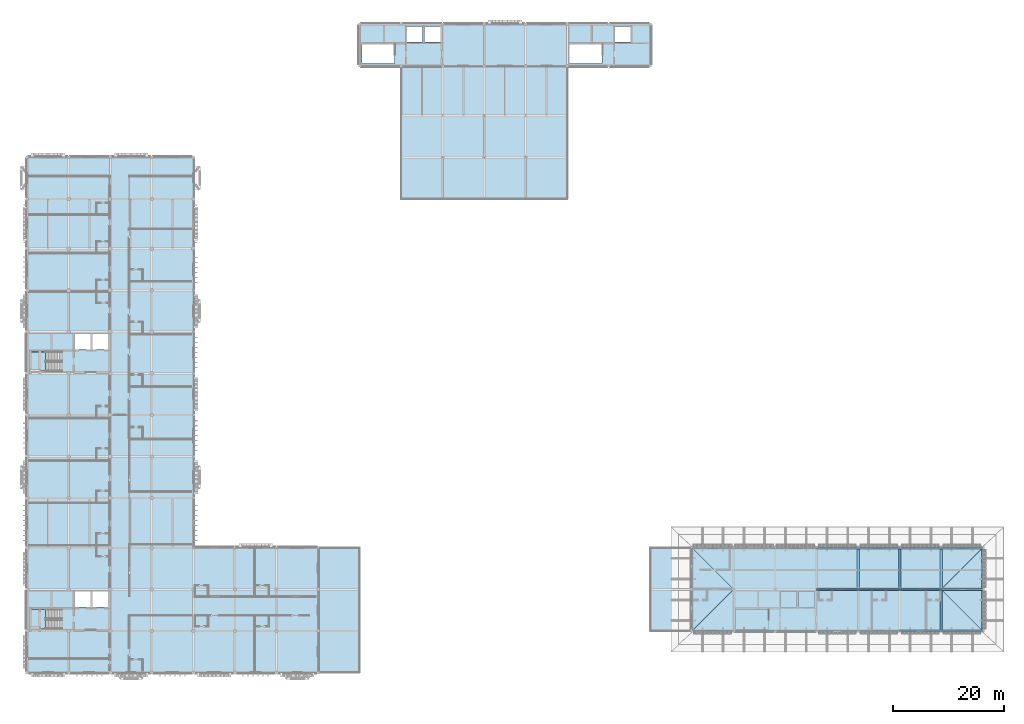
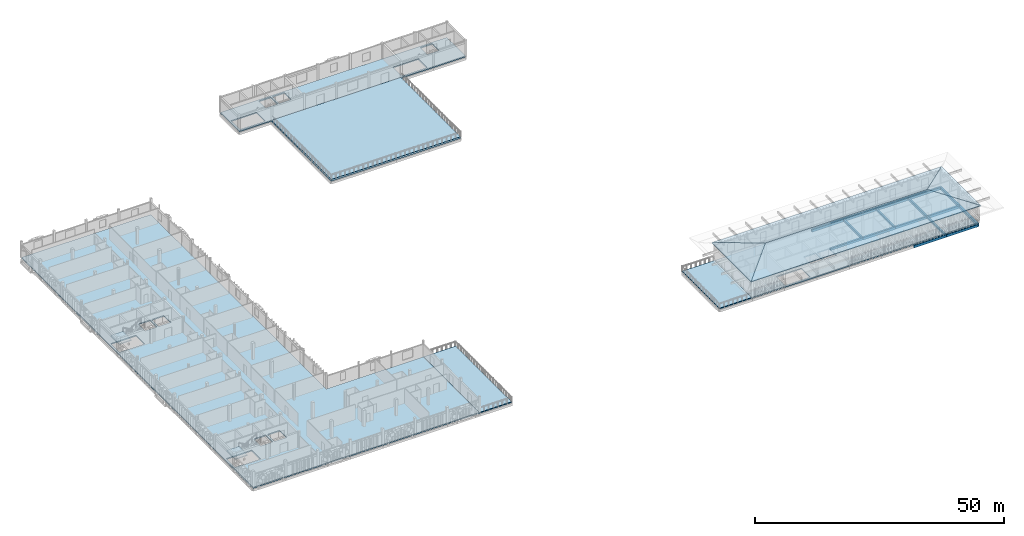
# One storey, part 9 of 33: 16 beams, 12 slabs, 3 members, 3 elements without a shape of their own.
"""IFC4 building model written with IfcOpenShell, lengths in metres."""

from ifc_helpers import new_model, si_unit, direction, frame, origin, origin_2d, place, context, subcontext, project, spatial, polyline, rectangle, i_section, outline, extrude, material, layer, layer_set, material_profile, profile_set, type_object, element, aggregate, save


model = new_model("IFC4")

# Units and contexts
model_context = context("Model", 3, precision=1e-05, world=origin(), true_north=direction((0.0, 1.0)))
body_context = subcontext(model_context, "Body", "Model", "MODEL_VIEW")
ifc_project = project(units=[si_unit("LENGTHUNIT", "METRE"), si_unit("AREAUNIT", "SQUARE_METRE"), si_unit("VOLUMEUNIT", "CUBIC_METRE"), si_unit("PLANEANGLEUNIT", "RADIAN"), si_unit("MASSUNIT", "GRAM", prefix="KILO")], contexts=[model_context])

# Site, building, storey
site_placement = place(None, origin())
site = spatial("IfcSite", under=ifc_project, at=site_placement, CompositionType="ELEMENT")
building_placement = place(site_placement, origin())
building = spatial("IfcBuilding", under=site, at=building_placement, Name="Dalvernix Boulevard General Hospital", CompositionType="ELEMENT")
storey_placement = place(building_placement, frame((0.0, 0.0, 21.89990234375)))
storey = spatial("IfcBuildingStorey", under=building, at=storey_placement, Name="L05", CompositionType="ELEMENT", Elevation=21.89990234375)

# Beams
ifc_material_1 = material(Name="Concrete C35/45", Category="concrete")
ifc_material_profile_1 = material_profile(ifc_material_1, rectangle(XDim=0.39990234375, YDim=0.60009765625, at=origin_2d()), Name="RCB 400x600")
ifc_profile_set_1 = profile_set([ifc_material_profile_1], Name="Concrete C35/45")
beam_type_1 = type_object("IfcBeamType", Name="BM-B-05-I", PredefinedType="BEAM", material=ifc_profile_set_1)
for number, where, z_axis, x_axis, name in (
    (1, (150.0, 15.0, -0.579833984375), (1.0, 0.0, 0.0), (0.0, 1.0, 0.0), "L05 E-W girder C:21-22"),
    (2, (165.0, 15.0, -0.579833984375), (1.0, 0.0, 0.0), (0.0, 1.0, 0.0), "L05 E-W girder C:23-24"),
):
    element("IfcBeam", number, at=place(storey_placement, frame(where, z_axis=z_axis, x_axis=x_axis)), inside=storey, type_object=beam_type_1, Name=name, PredefinedType="BEAM", context=body_context, shape_type="SweptSolid", body=[
        extrude(rectangle(XDim=0.39990234375, YDim=0.60009765625, at=origin_2d()), origin(), (0.0, 0.0, 1.0), 7.5),
    ])
ifc_material_profile_2 = material_profile(ifc_material_1, rectangle(XDim=0.39990234375, YDim=0.550048828125, at=origin_2d()), Name="RCB 400x550")
ifc_profile_set_2 = profile_set([ifc_material_profile_2], Name="Concrete C35/45")
beam_type_2 = type_object("IfcBeamType", Name="BM-B-06-I", PredefinedType="BEAM", material=ifc_profile_set_2)
for number, where, z_axis, x_axis, name in (
    (3, (142.5, 15.0, -0.554931640625), (1.0, 0.0, 0.0), (0.0, 1.0, 0.0), "L05 E-W girder C:20-21"),
    (4, (157.5, 15.0, -0.554931640625), (1.0, 0.0, 0.0), (0.0, 1.0, 0.0), "L05 E-W girder C:22-23"),
    (5, (150.0, 15.0, -0.554931640625), (0.0, 1.0, 0.0), (-1.0, 0.0, 0.0), "L05 N-S girder 21:C-D"),
    (6, (165.0, 15.0, -0.554931640625), (0.0, 1.0, 0.0), (-1.0, 0.0, 0.0), "L05 N-S girder 23:C-D"),
):
    element("IfcBeam", number, at=place(storey_placement, frame(where, z_axis=z_axis, x_axis=x_axis)), inside=storey, type_object=beam_type_2, Name=name, PredefinedType="BEAM", context=body_context, shape_type="SweptSolid", body=[
        extrude(rectangle(XDim=0.39990234375, YDim=0.550048828125, at=origin_2d()), origin(), (0.0, 0.0, 1.0), 7.5),
    ])
ifc_material_profile_3 = material_profile(ifc_material_1, rectangle(XDim=0.35009765625, YDim=0.5, at=origin_2d()), Name="RCB 350x500")
ifc_profile_set_3 = profile_set([ifc_material_profile_3], Name="Concrete C35/45")
beam_type_3 = type_object("IfcBeamType", Name="BM-B-08-I", PredefinedType="BEAM", material=ifc_profile_set_3)
for number, where, z_axis, x_axis, name in (
    (7, (157.5, 15.0, -0.52978515625), (0.0, 1.0, 0.0), (-1.0, 0.0, 0.0), "L05 N-S girder 22:C-D"),
    (8, (165.0, 7.5, -0.52978515625), (0.0, 1.0, 0.0), (-1.0, 0.0, 0.0), "L05 N-S girder 23:B-C"),
):
    element("IfcBeam", number, at=place(storey_placement, frame(where, z_axis=z_axis, x_axis=x_axis)), inside=storey, type_object=beam_type_3, Name=name, PredefinedType="BEAM", context=body_context, shape_type="SweptSolid", body=[
        extrude(rectangle(XDim=0.35009765625, YDim=0.5, at=origin_2d()), origin(), (0.0, 0.0, 1.0), 7.5),
    ])
ifc_material_profile_4 = material_profile(ifc_material_1, rectangle(XDim=0.39990234375, YDim=0.60009765625, at=origin_2d()), Name="RCB 400x600")
ifc_profile_set_4 = profile_set([ifc_material_profile_4], Name="Concrete C35/45")
beam_type_4 = type_object("IfcBeamType", Name="BM-SB-02-E", PredefinedType="SPANDREL", material=ifc_profile_set_4)
for number, where, z_axis, x_axis, name in (
    (9, (157.5, 7.5, -0.579833984375), (1.0, 0.0, 0.0), (0.0, 1.0, 0.0), "L05 E-W girder B:22-23"),
    (10, (165.0, 7.5, -0.579833984375), (1.0, 0.0, 0.0), (0.0, 1.0, 0.0), "L05 E-W girder B:23-24"),
    (11, (142.5, 22.5, -0.579833984375), (1.0, 0.0, 0.0), (0.0, 1.0, 0.0), "L05 E-W girder D:20-21"),
    (12, (150.0, 22.5, -0.579833984375), (1.0, 0.0, 0.0), (0.0, 1.0, 0.0), "L05 E-W girder D:21-22"),
    (13, (157.5, 22.5, -0.579833984375), (1.0, 0.0, 0.0), (0.0, 1.0, 0.0), "L05 E-W girder D:22-23"),
    (14, (165.0, 22.5, -0.579833984375), (1.0, 0.0, 0.0), (0.0, 1.0, 0.0), "L05 E-W girder D:23-24"),
    (15, (172.5, 7.5, -0.579833984375), (0.0, 1.0, 0.0), (-1.0, 0.0, 0.0), "L05 N-S girder 24:B-C"),
    (16, (172.5, 15.0, -0.579833984375), (0.0, 1.0, 0.0), (-1.0, 0.0, 0.0), "L05 N-S girder 24:C-D"),
):
    element("IfcBeam", number, at=place(storey_placement, frame(where, z_axis=z_axis, x_axis=x_axis)), inside=storey, type_object=beam_type_4, Name=name, PredefinedType="SPANDREL", context=body_context, shape_type="SweptSolid", body=[
        extrude(rectangle(XDim=0.39990234375, YDim=0.60009765625, at=origin_2d()), origin(), (0.0, 0.0, 1.0), 7.5),
    ])

# Members
ifc_material_2 = material(Name="Steel S355", Category="steel")
ifc_material_profile_5 = material_profile(ifc_material_2, i_section(OverallWidth=0.239990234375, OverallDepth=0.239990234375, WebThickness=0.010009765625, FlangeThickness=0.01708984375, FilletRadius=0.02099609375, at=origin_2d()), Name="HEB 240")
ifc_profile_set_5 = profile_set([ifc_material_profile_5], Name="Steel S355")
member_type = type_object("IfcMemberType", Name="MEM-PR-07", PredefinedType="PURLIN", material=ifc_profile_set_5)
for number, where, z_axis, x_axis, name in (
    (17, (142.5, 15.0, 5.85009765625), (1.0, 0.0, 0.0), (0.0, 1.0, 0.0), "V5 attic purlin 20-21:C"),
    (18, (150.0, 15.0, 5.85009765625), (1.0, 0.0, 0.0), (0.0, 1.0, 0.0), "V5 attic purlin 21-22:C"),
    (19, (157.5, 15.0, 5.85009765625), (1.0, 0.0, 0.0), (0.0, 1.0, 0.0), "V5 attic purlin 22-23:C"),
):
    element("IfcMember", number, at=place(storey_placement, frame(where, z_axis=z_axis, x_axis=x_axis)), inside=storey, type_object=member_type, Name=name, PredefinedType="PURLIN", context=body_context, shape_type="SweptSolid", body=[
        extrude(i_section(OverallWidth=0.239990234375, OverallDepth=0.239990234375, WebThickness=0.010009765625, FlangeThickness=0.01708984375, FilletRadius=0.02099609375, at=origin_2d()), origin(), (0.0, 0.0, 1.0), 7.5),
    ])

# Slabs
ifc_layer_1 = layer(ifc_material_1, 0.280029296875)
ifc_layer_set_1 = layer_set([ifc_layer_1], Name="Concrete C35/45 (SLB-FS-04)")
slab_type_1 = type_object("IfcSlabType", Name="SLB-FS-04", PredefinedType="FLOOR", material=ifc_layer_set_1)
slab_1_placement = place(storey_placement, frame((0.0, 0.0, -0.27978515625)))
element("IfcSlab", 20, at=slab_1_placement, inside=storey, type_object=slab_type_1, Name="L05 V3 structural floor slab 1", PredefinedType="FLOOR", context=body_context, shape_type="SweptSolid", body=[
    extrude(outline(polyline([(97.5, 117.0), (105.0, 117.0), (112.5, 117.0), (112.5, 109.5), (105.0, 109.5), (97.5, 109.5), (90.0, 109.5), (82.5, 109.5), (75.0, 109.5), (67.5, 109.5), (60.0, 109.5), (60.0, 117.0), (67.5, 117.0), (75.0, 117.0), (82.5, 117.0), (90.0, 117.0), (97.5, 117.0)]), holes=[polyline([(66.2900390625, 113.39990234375), (60.39990234375, 113.39990234375), (60.39990234375, 109.89990234375), (66.2900390625, 109.89990234375), (66.2900390625, 113.39990234375)]), polyline([(71.39990234375, 113.800048828125), (71.39990234375, 116.60009765625), (68.60009765625, 116.60009765625), (68.60009765625, 113.800048828125), (71.39990234375, 113.800048828125)]), polyline([(71.800048828125, 113.800048828125), (74.60009765625, 113.800048828125), (74.60009765625, 116.60009765625), (71.800048828125, 116.60009765625), (71.800048828125, 113.800048828125)]), polyline([(97.89990234375, 113.39990234375), (97.89990234375, 109.89990234375), (103.7900390625, 109.89990234375), (103.7900390625, 113.39990234375), (97.89990234375, 113.39990234375)]), polyline([(108.89990234375, 116.60009765625), (106.10009765625, 116.60009765625), (106.10009765625, 113.800048828125), (108.89990234375, 113.800048828125), (108.89990234375, 116.60009765625)])]), origin(), (0.0, 0.0, 1.0), 0.27978515625),
])
slab_2_placement = place(storey_placement, frame((0.0, 0.0, -0.27978515625)))
element("IfcSlab", 21, at=slab_2_placement, inside=storey, type_object=slab_type_1, Name="L05 V4 structural floor slab 1", PredefinedType="FLOOR", context=body_context, shape_type="SweptSolid", body=[
    extrude(outline(polyline([(0.0, 69.0), (0.0, 76.5), (0.0, 85.5), (0.0, 93.0), (7.5, 93.0), (15.0, 93.0), (22.5, 93.0), (30.0, 93.0), (30.0, 85.5), (30.0, 76.5), (30.0, 69.0), (30.0, 61.5), (30.0, 54.0), (30.0, 46.5), (30.0, 39.0), (30.0, 31.5), (30.0, 22.5), (37.5, 22.5), (45.0, 22.5), (52.5, 22.5), (52.5, 15.0), (52.5, 7.5), (52.5, 0.0), (45.0, 0.0), (37.5, 0.0), (30.0, 0.0), (22.5, 0.0), (15.0, 0.0), (7.5, 0.0), (0.0, 0.0), (0.0, 7.5), (0.0, 15.0), (0.0, 22.5), (0.0, 31.5), (0.0, 39.0), (0.0, 46.5), (0.0, 54.0), (0.0, 61.5), (0.0, 69.0)]), holes=[polyline([(0.39990234375, 11.39990234375), (0.39990234375, 7.89990234375), (6.2900390625, 7.89990234375), (6.2900390625, 11.39990234375), (0.39990234375, 11.39990234375)]), polyline([(11.39990234375, 14.60009765625), (8.60009765625, 14.60009765625), (8.60009765625, 11.800048828125), (11.39990234375, 11.800048828125), (11.39990234375, 14.60009765625)]), polyline([(14.60009765625, 11.800048828125), (14.60009765625, 14.60009765625), (11.800048828125, 14.60009765625), (11.800048828125, 11.800048828125), (14.60009765625, 11.800048828125)]), polyline([(0.39990234375, 54.39990234375), (6.2900390625, 54.39990234375), (6.2900390625, 57.89990234375), (0.39990234375, 57.89990234375), (0.39990234375, 54.39990234375)]), polyline([(8.60009765625, 61.10009765625), (8.60009765625, 58.300048828125), (11.39990234375, 58.300048828125), (11.39990234375, 61.10009765625), (8.60009765625, 61.10009765625)]), polyline([(14.60009765625, 61.10009765625), (11.800048828125, 61.10009765625), (11.800048828125, 58.300048828125), (14.60009765625, 58.300048828125), (14.60009765625, 61.10009765625)])]), origin(), (0.0, 0.0, 1.0), 0.27978515625),
])
slab_3_placement = place(storey_placement, frame((0.0, 0.0, -0.27978515625)))
element("IfcSlab", 22, at=slab_3_placement, inside=storey, type_object=slab_type_1, Name="L05 V5 structural floor slab 1", PredefinedType="FLOOR", context=body_context, shape_type="SweptSolid", body=[
    extrude(outline(polyline([(142.5, 22.5), (150.0, 22.5), (157.5, 22.5), (165.0, 22.5), (172.5, 22.5), (172.5, 15.0), (172.5, 7.5), (165.0, 7.5), (157.5, 7.5), (150.0, 7.5), (142.5, 7.5), (135.0, 7.5), (127.5, 7.5), (120.0, 7.5), (120.0, 15.0), (120.0, 22.5), (127.5, 22.5), (135.0, 22.5), (142.5, 22.5)]), holes=[polyline([(127.89990234375, 7.89990234375), (133.7900390625, 7.89990234375), (133.7900390625, 11.39990234375), (127.89990234375, 11.39990234375), (127.89990234375, 7.89990234375)]), polyline([(136.10009765625, 14.60009765625), (136.10009765625, 11.800048828125), (138.89990234375, 11.800048828125), (138.89990234375, 14.60009765625), (136.10009765625, 14.60009765625)]), polyline([(142.10009765625, 14.60009765625), (139.300048828125, 14.60009765625), (139.300048828125, 11.800048828125), (142.10009765625, 11.800048828125), (142.10009765625, 14.60009765625)])]), origin(), (0.0, 0.0, 1.0), 0.27978515625),
])

# Stair, slab
ifc_material_3 = material(Name="Precast concrete C40/50", Category="concrete")
stair_type = type_object("IfcStairType", Name="IFCSTAIR-STC-165x405", PredefinedType="HALF_TURN_STAIR", material=ifc_material_3)
stair_1_placement = place(storey_placement, origin())
stair_1 = element("IfcStair", 23, at=stair_1_placement, inside=storey, type_object=stair_type, Name="L05 Core C1 Exit Stair ST-01", PredefinedType="HALF_TURN_STAIR")
ifc_layer_2 = layer(ifc_material_3, 0.199951171875)
ifc_layer_set_2 = layer_set([ifc_layer_2], Name="Precast concrete C40/50 (SLB-LND-01)")
slab_type_2 = type_object("IfcSlabType", Name="SLB-LND-01", PredefinedType="LANDING", material=ifc_layer_set_2)
slab_4_placement = place(storey_placement, frame((0.0, 0.0, 1.8251953125)))
slab_4 = element("IfcSlab", 24, at=slab_4_placement, type_object=slab_type_2, Name="ST-01 landing 1", PredefinedType="LANDING", context=body_context, shape_type="SweptSolid", body=[
    extrude(outline(polyline([(3.27001953125, 11.39990234375), (0.39990234375, 11.39990234375), (0.39990234375, 7.89990234375), (3.27001953125, 7.89990234375), (3.27001953125, 11.39990234375)])), origin(), (0.0, 0.0, 1.0), 0.199951171875),
])
aggregate(stair_1, [slab_4])

stair_2_placement = place(storey_placement, origin())
stair_2 = element("IfcStair", 25, at=stair_2_placement, inside=storey, type_object=stair_type, Name="L05 Core C2 Exit Stair ST-02", PredefinedType="HALF_TURN_STAIR")
slab_5_placement = place(storey_placement, frame((0.0, 0.0, 1.8251953125)))
slab_5 = element("IfcSlab", 26, at=slab_5_placement, type_object=slab_type_2, Name="ST-02 landing 1", PredefinedType="LANDING", context=body_context, shape_type="SweptSolid", body=[
    extrude(outline(polyline([(3.27001953125, 57.89990234375), (0.39990234375, 57.89990234375), (0.39990234375, 54.39990234375), (3.27001953125, 54.39990234375), (3.27001953125, 57.89990234375)])), origin(), (0.0, 0.0, 1.0), 0.199951171875),
])
aggregate(stair_2, [slab_5])

# Slab
ifc_layer_3 = layer(ifc_material_1, 0.419921875)
ifc_layer_set_3 = layer_set([ifc_layer_3], Name="Concrete C35/45 (SLB-RS-02)")
slab_type_3 = type_object("IfcSlabType", Name="SLB-RS-02", PredefinedType="ROOF", material=ifc_layer_set_3)
slab_6_placement = place(storey_placement, frame((0.0, 0.0, -0.419921875)))
element("IfcSlab", 27, at=slab_6_placement, inside=storey, type_object=slab_type_3, Name="L05 Rooftop Emergency Trauma Helideck Slab", PredefinedType="ROOF", context=body_context, shape_type="SweptSolid", body=[
    extrude(outline(polyline([(67.5, 100.5), (67.5, 109.5), (75.0, 109.5), (82.5, 109.5), (90.0, 109.5), (97.5, 109.5), (97.5, 100.5), (97.5, 93.0), (97.5, 85.5), (90.0, 85.5), (82.5, 85.5), (75.0, 85.5), (67.5, 85.5), (67.5, 93.0), (67.5, 100.5)])), origin(), (0.0, 0.0, 1.0), 0.419921875),
])

# Roof, slabs
ifc_material_4 = material(Name="Polychrome Catalan glazed terracotta tile roof system", Category="masonry")
roof_type = type_object("IfcRoofType", Name="ROOF-HIP-01", PredefinedType="HIP_ROOF", material=ifc_material_4)
roof_placement = place(storey_placement, origin())
roof = element("IfcRoof", 28, at=roof_placement, inside=storey, type_object=roof_type, Name="V5 Hipped Ceramic Roof", PredefinedType="HIP_ROOF")
ifc_layer_4 = layer(ifc_material_1, 0.179931640625)
ifc_layer_set_4 = layer_set([ifc_layer_4], Name="Concrete C35/45 (SLB-RS-03)")
slab_type_4 = type_object("IfcSlabType", Name="SLB-RS-03", PredefinedType="ROOF", material=ifc_layer_set_4)
slab_7_placement = place(storey_placement, frame((119.60009765625, 7.10009765625, 4.27001953125), z_axis=(0.0, -0.238536653022, 0.971133495028), x_axis=(1.0, 0.0, 0.0)))
slab_7 = element("IfcSlab", 29, at=slab_7_placement, type_object=slab_type_4, Name="V5 hipped roof slab S", PredefinedType="ROOF", context=body_context, shape_type="SweptSolid", body=[
    extrude(outline(polyline([(0.0, 0.0), (53.2998046875, 0.0), (45.39990234375, 8.134723376545638), (7.89990234375, 8.134723376545638), (0.0, 0.0)])), origin(), (0.0, 0.0, -1.0), 0.179931640625),
])
slab_8_placement = place(storey_placement, frame((172.89990234375, 22.89990234375, 4.27001953125), z_axis=(0.0, 0.238536653022, 0.971133495028), x_axis=(-1.0, 0.0, 0.0)))
slab_8 = element("IfcSlab", 30, at=slab_8_placement, type_object=slab_type_4, Name="V5 hipped roof slab N", PredefinedType="ROOF", context=body_context, shape_type="SweptSolid", body=[
    extrude(outline(polyline([(0.0, 0.0), (53.2998046875, 0.0), (45.39990234375, 8.134723376545638), (7.89990234375, 8.134723376545638), (0.0, 0.0)])), origin(), (0.0, 0.0, -1.0), 0.179931640625),
])
slab_9_placement = place(storey_placement, frame((119.60009765625, 22.89990234375, 4.27001953125), z_axis=(-0.238536653022, 0.0, 0.971133495028), x_axis=(0.0, -1.0, 0.0)))
slab_9 = element("IfcSlab", 31, at=slab_9_placement, type_object=slab_type_4, Name="V5 hipped roof slab W", PredefinedType="ROOF", context=body_context, shape_type="SweptSolid", body=[
    extrude(outline(polyline([(0.0, 0.0), (15.7998046875, 0.0), (7.89990234375, 8.13472337654564), (0.0, 0.0)])), origin(), (0.0, 0.0, -1.0), 0.179931640625),
])
slab_10_placement = place(storey_placement, frame((172.89990234375, 7.10009765625, 4.27001953125), z_axis=(0.238536653022, 0.0, 0.971133495028), x_axis=(0.0, 1.0, 0.0)))
slab_10 = element("IfcSlab", 32, at=slab_10_placement, type_object=slab_type_4, Name="V5 hipped roof slab E", PredefinedType="ROOF", context=body_context, shape_type="SweptSolid", body=[
    extrude(outline(polyline([(0.0, 0.0), (15.7998046875, 0.0), (7.89990234375, 8.13472337654564), (0.0, 0.0)])), origin(), (0.0, 0.0, -1.0), 0.179931640625),
])
aggregate(roof, [slab_7, slab_8, slab_9, slab_10])

# Slabs
ifc_layer_5 = layer(ifc_material_1, 0.239990234375)
ifc_layer_set_5 = layer_set([ifc_layer_5], Name="Concrete C35/45 (SLB-TS-01)")
slab_type_5 = type_object("IfcSlabType", Name="SLB-TS-01", PredefinedType="FLOOR", material=ifc_layer_set_5)
slab_11_placement = place(storey_placement, frame((0.0, 0.0, -0.239990234375)))
element("IfcSlab", 33, at=slab_11_placement, inside=storey, type_object=slab_type_5, Name="L05 walkable ward roof terrace 1", PredefinedType="FLOOR", context=body_context, shape_type="SweptSolid", body=[
    extrude(outline(polyline([(52.5, 0.0), (52.5, 7.5), (52.5, 15.0), (52.5, 22.5), (60.0, 22.5), (60.0, 15.0), (60.0, 7.5), (60.0, 0.0), (52.5, 0.0)])), origin(), (0.0, 0.0, 1.0), 0.239990234375),
])
slab_12_placement = place(storey_placement, frame((0.0, 0.0, -0.239990234375)))
element("IfcSlab", 34, at=slab_12_placement, inside=storey, type_object=slab_type_5, Name="L05 walkable ward roof terrace 2", PredefinedType="FLOOR", context=body_context, shape_type="SweptSolid", body=[
    extrude(outline(polyline([(112.5, 7.5), (112.5, 15.0), (112.5, 22.5), (120.0, 22.5), (120.0, 15.0), (120.0, 7.5), (112.5, 7.5)])), origin(), (0.0, 0.0, 1.0), 0.239990234375),
])

save(model, "model.ifc")
